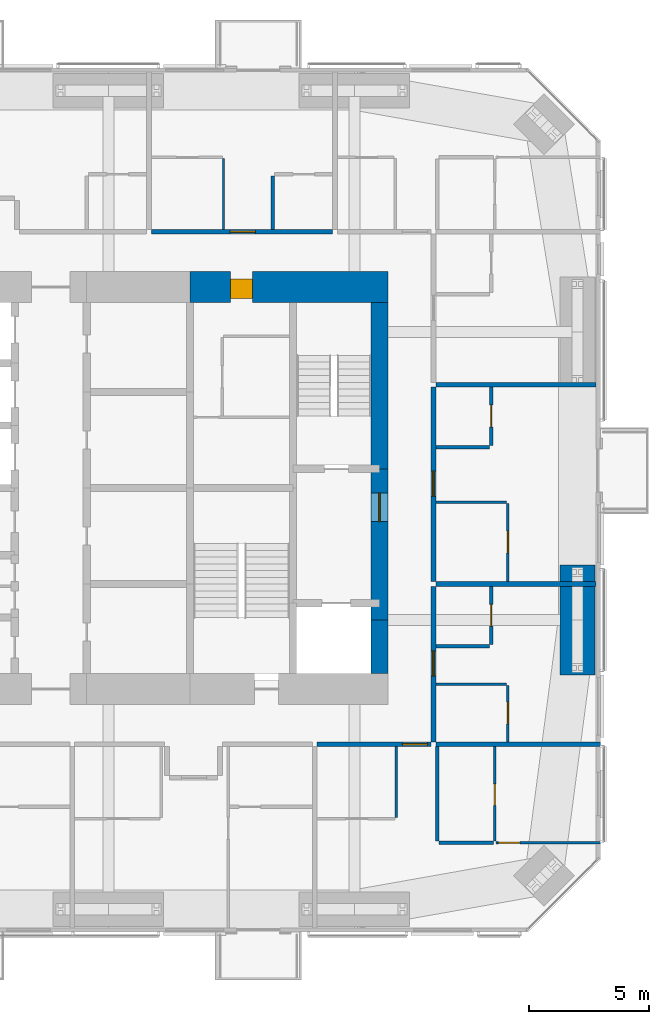
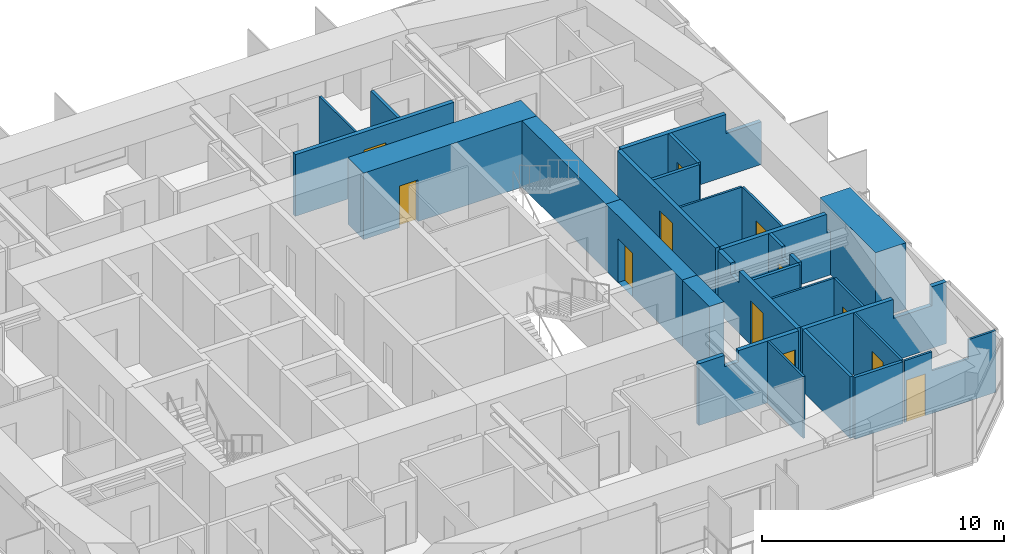
# One storey, part 19 of 22: 27 walls, 12 doors, 12 openings.
"""IFC4 building model written with IfcOpenShell, lengths in metres."""

from ifc_helpers import new_model, si_unit, direction, frame, frame_2d, origin, place, context, subcontext, project, spatial, polyline, rectangle, outline, extrude, material, layer, layer_set, constituent, constituent_set, type_object, element, fill, save


model = new_model("IFC4")

# Units and contexts
model_context = context("Model", 3, precision=1e-05, world=origin(), true_north=direction((0.0, 1.0)))
body_context = subcontext(model_context, "Body", "Model", "MODEL_VIEW")
ifc_project = project(units=[si_unit("LENGTHUNIT", "METRE"), si_unit("AREAUNIT", "SQUARE_METRE"), si_unit("VOLUMEUNIT", "CUBIC_METRE"), si_unit("PLANEANGLEUNIT", "RADIAN"), si_unit("MASSUNIT", "GRAM", prefix="KILO")], contexts=[model_context])

# Site, building, storey
site_placement = place(None, origin())
site = spatial("IfcSite", under=ifc_project, at=site_placement, CompositionType="ELEMENT")
building_placement = place(site_placement, origin())
building = spatial("IfcBuilding", under=site, at=building_placement, Name="Jalousie Tower", CompositionType="ELEMENT")
storey_placement = place(building_placement, frame((0.0, 0.0, 161.050048828125)))
storey = spatial("IfcBuildingStorey", under=building, at=storey_placement, Name="L43", CompositionType="ELEMENT", Elevation=161.050048828125)

# Walls
ifc_material_1 = material(Name="Concrete block ASTM C90", Category="concrete")
ifc_constituent_1 = constituent(ifc_material_1, Name="Body")
ifc_material_2 = material(Name="Render")
ifc_constituent_2 = constituent(ifc_material_2, Name="Finish")
ifc_constituent_set_1 = constituent_set(constituents=[ifc_constituent_1, ifc_constituent_2])
wall_type_1 = type_object("IfcWallType", Name="BATHROOM WALL 150", PredefinedType="PLUMBINGWALL", material=ifc_constituent_set_1)
wall_1_placement = place(storey_placement, frame((46.27490234375, 3.72119140625, 0.0), z_axis=(0.0, 0.0, 1.0), x_axis=(1.0, 0.0, 0.0)))
element("IfcWall", 1, at=wall_1_placement, inside=storey, type_object=wall_type_1, Name="Bathroom Wall 150 L43", PredefinedType="PLUMBINGWALL", context=body_context, shape_type="SweptSolid", body=[
    extrude(rectangle(XDim=2.275146484375, YDim=0.14990234375, at=frame_2d((1.1376953125, 0.0))), origin(), (0.0, 0.0, 1.0), 3.10986328125),
])
wall_2_placement = place(storey_placement, frame((46.199951171875, 3.79638671875, 0.0), z_axis=(0.0, 0.0, 1.0), x_axis=(0.0, 1.0, 0.0)))
element("IfcWall", 2, at=wall_2_placement, inside=storey, type_object=wall_type_1, Name="Bathroom Wall 150 L43", PredefinedType="PLUMBINGWALL", context=body_context, shape_type="SweptSolid", body=[
    extrude(rectangle(XDim=3.9287109375, YDim=0.14990234375, at=frame_2d((1.96435546875, 0.0))), origin(), (0.0, 0.0, 1.0), 3.10986328125),
])
wall_3_placement = place(storey_placement, frame((39.35009765625, 31.5, 0.0), z_axis=(0.0, 0.0, 1.0), x_axis=(0.0, -1.0, 0.0)))
element("IfcWall", 3, at=wall_3_placement, inside=storey, type_object=wall_type_1, Name="Bathroom Wall 150 L43", PredefinedType="PLUMBINGWALL", context=body_context, shape_type="SweptSolid", body=[
    extrude(rectangle(XDim=2.22509765625, YDim=0.14990234375, at=frame_2d((1.112548828125, 0.0))), origin(), (0.0, 0.0, 1.0), 3.10986328125),
])

# Wall, opening, door
wall_4_placement = place(storey_placement, frame((48.449951171875, 11.97509765625, 0.0), z_axis=(0.0, 0.0, 1.0), x_axis=(0.0, 1.0, 0.0)))
wall_4 = element("IfcWall", 4, at=wall_4_placement, inside=storey, type_object=wall_type_1, Name="Bathroom Wall 150 L43", PredefinedType="PLUMBINGWALL", context=body_context, shape_type="SweptSolid", body=[
    extrude(outline(polyline([(0.0, 0.0), (2.4248046875, 0.0), (2.425048828125, 3.10986328125), (1.33740234375, 3.10986328125), (1.33740234375, 2.541015625), (0.712646484375, 2.541015625), (0.712646484375, 3.10986328125), (0.0, 3.10986328125), (0.0, 0.0)])), frame((0.0, 0.074951171875, 0.0), z_axis=(0.0, -1.0, 0.0), x_axis=(1.0, 0.0, 0.0)), (0.0, 0.0, 1.0), 0.14990234375),
])
opening_1_placement = place(wall_4_placement, frame((0.77490234375, 0.0, 0.0)))
opening_1 = element("IfcOpeningElement", 5, at=opening_1_placement, cuts=wall_4, Name="Opening D3", PredefinedType="OPENING", context=body_context, shape_type="SweptSolid", body=[
    extrude(rectangle(XDim=0.89990234375, YDim=2.10009765625, at=frame_2d((0.449951171875, 1.050048828125))), frame((0.0, 0.0849609375, 0.0), z_axis=(0.0, -1.0, 0.0), x_axis=(1.0, 0.0, 0.0)), (0.0, 0.0, 1.0), 0.169921875),
])
ifc_material_3 = material(Name="Timber door", Category="wood")
door_type_1 = type_object("IfcDoorType", Name="BATHROOM DOOR 900", OperationType="SINGLE_SWING_LEFT", PredefinedType="DOOR", material=ifc_material_3)
door_1_placement = place(opening_1_placement, origin())
door_1 = element("IfcDoor", 6, at=door_1_placement, inside=storey, type_object=door_type_1, Name="Apartment 4310 bathroom door", OperationType="SINGLE_SWING_RIGHT", OverallHeight=2.10009765625, OverallWidth=0.89990234375, PredefinedType="DOOR", context=body_context, shape_type="SweptSolid", body=[
    extrude(rectangle(XDim=0.89990234375, YDim=2.10009765625, at=frame_2d((0.449951171875, 1.050048828125))), frame((0.0, 0.02490234375, 0.0), z_axis=(0.0, -1.0, 0.0), x_axis=(1.0, 0.0, 0.0)), (0.0, 0.0, 1.0), 0.050048828125),
])
fill(opening_1, door_1)

# Wall
wall_5_placement = place(storey_placement, frame((48.375, 11.89990234375, 0.0), z_axis=(0.0, 0.0, 1.0), x_axis=(-1.0, 0.0, 0.0)))
element("IfcWall", 7, at=wall_5_placement, inside=storey, type_object=wall_type_1, Name="Bathroom Wall 150 L43", PredefinedType="PLUMBINGWALL", context=body_context, shape_type="SweptSolid", body=[
    extrude(rectangle(XDim=2.22509765625, YDim=0.14990234375, at=frame_2d((1.112548828125, 0.0))), origin(), (0.0, 0.0, 1.0), 3.10986328125),
])

# Wall, opening, door
wall_6_placement = place(storey_placement, frame((48.449951171875, 20.27490234375, 0.0), z_axis=(0.0, 0.0, 1.0), x_axis=(0.0, 1.0, 0.0)))
wall_6 = element("IfcWall", 8, at=wall_6_placement, inside=storey, type_object=wall_type_1, Name="Bathroom Wall 150 L43", PredefinedType="PLUMBINGWALL", context=body_context, shape_type="SweptSolid", body=[
    extrude(rectangle(XDim=2.425048828125, YDim=0.14990234375, at=frame_2d((1.21240234375, 0.0))), origin(), (0.0, 0.0, 1.0), 3.10986328125),
])
opening_2_placement = place(wall_6_placement, frame((0.77490234375, 0.0, 0.0)))
opening_2 = element("IfcOpeningElement", 9, at=opening_2_placement, cuts=wall_6, Name="Opening D3", PredefinedType="OPENING", context=body_context, shape_type="SweptSolid", body=[
    extrude(rectangle(XDim=0.89990234375, YDim=2.10009765625, at=frame_2d((0.449951171875, 1.050048828125))), frame((0.0, 0.0849609375, 0.0), z_axis=(0.0, -1.0, 0.0), x_axis=(1.0, 0.0, 0.0)), (0.0, 0.0, 1.0), 0.169921875),
])
door_2_placement = place(opening_2_placement, origin())
door_2 = element("IfcDoor", 10, at=door_2_placement, inside=storey, type_object=door_type_1, Name="Apartment 4311 bathroom door", OperationType="SINGLE_SWING_RIGHT", OverallHeight=2.10009765625, OverallWidth=0.89990234375, PredefinedType="DOOR", context=body_context, shape_type="SweptSolid", body=[
    extrude(rectangle(XDim=0.89990234375, YDim=2.10009765625, at=frame_2d((0.449951171875, 1.050048828125))), frame((0.0, 0.02490234375, 0.0), z_axis=(0.0, -1.0, 0.0), x_axis=(1.0, 0.0, 0.0)), (0.0, 0.0, 1.0), 0.050048828125),
])
fill(opening_2, door_2)

# Wall
wall_7_placement = place(storey_placement, frame((48.375, 20.199951171875, 0.0), z_axis=(0.0, 0.0, 1.0), x_axis=(-1.0, 0.0, 0.0)))
element("IfcWall", 11, at=wall_7_placement, inside=storey, type_object=wall_type_1, Name="Bathroom Wall 150 L43", PredefinedType="PLUMBINGWALL", context=body_context, shape_type="SweptSolid", body=[
    extrude(rectangle(XDim=2.22509765625, YDim=0.14990234375, at=frame_2d((1.112548828125, 0.0))), origin(), (0.0, 0.0, 1.0), 3.10986328125),
])

# Wall, opening, door
ifc_material_4 = material(Name="Concrete f'c 120 MPa", Category="concrete")
ifc_layer_1 = layer(ifc_material_4, 1.300048828125)
ifc_layer_set_1 = layer_set([ifc_layer_1], Name="Concrete f'c 120 MPa")
wall_type_2 = type_object("IfcWallType", Name="CORE WALL 1300", PredefinedType="SHEAR", material=ifc_layer_set_1)
wall_8_placement = place(storey_placement, frame((44.14990234375, 26.875, 0.0), z_axis=(0.0, 0.0, 1.0), x_axis=(-1.0, 0.0, 0.0)))
wall_8 = element("IfcWall", 12, at=wall_8_placement, inside=storey, type_object=wall_type_2, Name="Core wall NA L43", PredefinedType="SHEAR", context=body_context, shape_type="SweptSolid", body=[
    extrude(rectangle(XDim=8.25, YDim=1.300048828125, at=frame_2d((4.125, 0.0))), origin(), (0.0, 0.0, 1.0), 3.349853515625),
])
opening_3_placement = place(wall_8_placement, frame((5.64990234375, 0.0, 0.0)))
opening_3 = element("IfcOpeningElement", 13, at=opening_3_placement, cuts=wall_8, Name="Opening D25", PredefinedType="OPENING", context=body_context, shape_type="SweptSolid", body=[
    extrude(rectangle(XDim=0.89990234375, YDim=2.10009765625, at=frame_2d((0.449951171875, 1.050048828125))), frame((0.0, 0.659912109375, 0.0), z_axis=(0.0, -1.0, 0.0), x_axis=(1.0, 0.0, 0.0)), (0.0, 0.0, 1.0), 1.320068359375),
])
ifc_material_5 = material(Name="Steel fire door", Category="steel")
door_type_2 = type_object("IfcDoorType", Name="SERVICE LOBBY DOOR 900", OperationType="SINGLE_SWING_LEFT", PredefinedType="DOOR", material=ifc_material_5)
door_3_placement = place(opening_3_placement, origin())
door_3 = element("IfcDoor", 14, at=door_3_placement, inside=storey, type_object=door_type_2, Name="Service lobby door", OperationType="SINGLE_SWING_RIGHT", OverallHeight=2.10009765625, OverallWidth=0.89990234375, PredefinedType="DOOR", context=body_context, shape_type="SweptSolid", body=[
    extrude(rectangle(XDim=0.89990234375, YDim=2.10009765625, at=frame_2d((0.449951171875, 1.050048828125))), frame((0.0, 0.47021484375, 0.0), z_axis=(0.0, -1.0, 0.0), x_axis=(1.0, 0.0, 0.0)), (0.0, 0.0, 1.0), 0.800048828125),
])
fill(opening_3, door_3)

# Wall
ifc_material_6 = material(Name="Concrete f'c 120 MPa", Category="concrete")
ifc_layer_2 = layer(ifc_material_6, 0.699951171875)
ifc_layer_set_2 = layer_set([ifc_layer_2], Name="Concrete f'c 120 MPa")
wall_type_3 = type_object("IfcWallType", Name="CORE WALL 700", PredefinedType="SHEAR", material=ifc_layer_set_2)
wall_9_placement = place(storey_placement, frame((43.800048828125, 10.77490234375, 0.0), z_axis=(0.0, 0.0, 1.0), x_axis=(0.0, 1.0, 0.0)))
element("IfcWall", 15, at=wall_9_placement, inside=storey, type_object=wall_type_3, Name="Core wall EA L43", PredefinedType="SHEAR", context=body_context, shape_type="SweptSolid", body=[
    extrude(rectangle(XDim=2.22509765625, YDim=0.699951171875, at=frame_2d((1.112548828125, 0.0))), origin(), (0.0, 0.0, 1.0), 3.349853515625),
])

# Wall, opening, door
wall_10_placement = place(storey_placement, frame((43.800048828125, 13.0, 0.0), z_axis=(0.0, 0.0, 1.0), x_axis=(0.0, 1.0, 0.0)))
wall_10 = element("IfcWall", 16, at=wall_10_placement, inside=storey, type_object=wall_type_3, Name="Core wall EB L43", PredefinedType="SHEAR", context=body_context, shape_type="SweptSolid", body=[
    extrude(rectangle(XDim=6.300048828125, YDim=0.699951171875, at=frame_2d((3.14990234375, 0.0))), origin(), (0.0, 0.0, 1.0), 3.349853515625),
])
opening_4_placement = place(wall_10_placement, frame((4.10009765625, 0.0, 0.0)))
opening_4 = element("IfcOpeningElement", 17, at=opening_4_placement, cuts=wall_10, Name="Opening D11", PredefinedType="OPENING", context=body_context, shape_type="SweptSolid", body=[
    extrude(rectangle(XDim=1.199951171875, YDim=2.199951171875, at=frame_2d((0.60009765625, 1.10009765625))), frame((0.0, 0.35986328125, 0.0), z_axis=(0.0, -1.0, 0.0), x_axis=(1.0, 0.0, 0.0)), (0.0, 0.0, 1.0), 0.719970703125),
])
ifc_material_7 = material(Name="Steel fire door", Category="steel")
door_type_3 = type_object("IfcDoorType", Name="FIRE DOOR 1200", OperationType="SINGLE_SWING_LEFT", PredefinedType="DOOR", material=ifc_material_7)
door_4_placement = place(opening_4_placement, origin())
door_4 = element("IfcDoor", 18, at=door_4_placement, inside=storey, type_object=door_type_3, Name="Fire-fighting lobby B door", OperationType="SINGLE_SWING_RIGHT", OverallHeight=2.199951171875, OverallWidth=1.199951171875, PredefinedType="DOOR", context=body_context, shape_type="SweptSolid", body=[
    extrude(rectangle(XDim=1.199951171875, YDim=2.199951171875, at=frame_2d((0.60009765625, 1.10009765625))), frame((0.0, 0.02490234375, 0.0), z_axis=(0.0, -1.0, 0.0), x_axis=(1.0, 0.0, 0.0)), (0.0, 0.0, 1.0), 0.050048828125),
])
fill(opening_4, door_4)

# Wall
wall_11_placement = place(storey_placement, frame((43.800048828125, 19.300048828125, 0.0), z_axis=(0.0, 0.0, 1.0), x_axis=(0.0, 1.0, 0.0)))
element("IfcWall", 19, at=wall_11_placement, inside=storey, type_object=wall_type_3, Name="Core wall EC L43", PredefinedType="SHEAR", context=body_context, shape_type="SweptSolid", body=[
    extrude(rectangle(XDim=6.925048828125, YDim=0.699951171875, at=frame_2d((3.46240234375, 0.0))), origin(), (0.0, 0.0, 1.0), 3.349853515625),
])

# Wall, opening, door
ifc_material_8 = material(Name="Concrete block ASTM C90", Category="concrete")
ifc_constituent_3 = constituent(ifc_material_8, Name="Body")
ifc_material_9 = material(Name="Render")
ifc_constituent_4 = constituent(ifc_material_9, Name="Finish")
ifc_constituent_set_2 = constituent_set(constituents=[ifc_constituent_3, ifc_constituent_4])
wall_type_4 = type_object("IfcWallType", Name="CORRIDOR WALL 200", PredefinedType="PARTITIONING", material=ifc_constituent_set_2)
wall_12_placement = place(storey_placement, frame((41.199951171875, 7.824951171875, 0.0), z_axis=(0.0, 0.0, 1.0), x_axis=(1.0, 0.0, 0.0)))
wall_12 = element("IfcWall", 20, at=wall_12_placement, inside=storey, type_object=wall_type_4, Name="Corridor Wall 200 L43", PredefinedType="PARTITIONING", context=body_context, shape_type="SweptSolid", body=[
    extrude(outline(polyline([(0.0, 0.0), (4.75, 0.0), (4.75, 3.10986328125), (1.88720703125, 3.10986328125), (1.88720703125, 2.541015625), (1.212646484375, 2.541015625), (1.212646484375, 3.10986328125), (0.0, 3.10986328125), (0.0, 0.0)])), frame((0.0, 0.10009765625, 0.0), z_axis=(0.0, -1.0, 0.0), x_axis=(1.0, 0.0, 0.0)), (0.0, 0.0, 1.0), 0.199951171875),
])
opening_5_placement = place(wall_12_placement, frame((3.550048828125, 0.0, 0.0)))
opening_5 = element("IfcOpeningElement", 21, at=opening_5_placement, cuts=wall_12, Name="Opening D1", PredefinedType="OPENING", context=body_context, shape_type="SweptSolid", body=[
    extrude(rectangle(XDim=1.050048828125, YDim=2.199951171875, at=frame_2d((0.52490234375, 1.10009765625))), frame((0.0, 0.10986328125, 0.0), z_axis=(0.0, -1.0, 0.0), x_axis=(1.0, 0.0, 0.0)), (0.0, 0.0, 1.0), 0.219970703125),
])
ifc_material_10 = material(Name="Timber fire door", Category="wood")
door_type_4 = type_object("IfcDoorType", Name="APARTMENT ENTRANCE DOOR 1050", OperationType="SINGLE_SWING_LEFT", PredefinedType="DOOR", material=ifc_material_10)
door_5_placement = place(opening_5_placement, frame((1.050048828125, 0.0, 0.0), z_axis=(0.0, 0.0, 1.0), x_axis=(-1.0, 0.0, 0.0)))
door_5 = element("IfcDoor", 22, at=door_5_placement, inside=storey, type_object=door_type_4, Name="Apartment 4304 entrance", OperationType="SINGLE_SWING_RIGHT", OverallHeight=2.199951171875, OverallWidth=1.050048828125, PredefinedType="DOOR", context=body_context, shape_type="SweptSolid", body=[
    extrude(rectangle(XDim=1.050048828125, YDim=2.199951171875, at=frame_2d((0.52490234375, 1.10009765625))), frame((0.0, 0.02490234375, 0.0), z_axis=(0.0, -1.0, 0.0), x_axis=(1.0, 0.0, 0.0)), (0.0, 0.0, 1.0), 0.050048828125),
])
fill(opening_5, door_5)

wall_13_placement = place(storey_placement, frame((34.300048828125, 29.175048828125, 0.0), z_axis=(0.0, 0.0, 1.0), x_axis=(1.0, 0.0, 0.0)))
wall_13 = element("IfcWall", 23, at=wall_13_placement, inside=storey, type_object=wall_type_4, Name="Corridor Wall 200 L43", PredefinedType="PARTITIONING", context=body_context, shape_type="SweptSolid", body=[
    extrude(rectangle(XDim=7.550048828125, YDim=0.199951171875, at=frame_2d((3.77490234375, 0.0))), origin(), (0.0, 0.0, 1.0), 3.10986328125),
])
opening_6_placement = place(wall_13_placement, frame((3.27490234375, 0.0, 0.0)))
opening_6 = element("IfcOpeningElement", 24, at=opening_6_placement, cuts=wall_13, Name="Opening D1", PredefinedType="OPENING", context=body_context, shape_type="SweptSolid", body=[
    extrude(rectangle(XDim=1.050048828125, YDim=2.199951171875, at=frame_2d((0.52490234375, 1.10009765625))), frame((0.0, 0.10986328125, 0.0), z_axis=(0.0, -1.0, 0.0), x_axis=(1.0, 0.0, 0.0)), (0.0, 0.0, 1.0), 0.219970703125),
])
door_6_placement = place(opening_6_placement, origin())
door_6 = element("IfcDoor", 25, at=door_6_placement, inside=storey, type_object=door_type_4, Name="Apartment 4307 entrance", OperationType="SINGLE_SWING_LEFT", OverallHeight=2.199951171875, OverallWidth=1.050048828125, PredefinedType="DOOR", context=body_context, shape_type="SweptSolid", body=[
    extrude(rectangle(XDim=1.050048828125, YDim=2.199951171875, at=frame_2d((0.52490234375, 1.10009765625))), frame((0.0, 0.02490234375, 0.0), z_axis=(0.0, -1.0, 0.0), x_axis=(1.0, 0.0, 0.0)), (0.0, 0.0, 1.0), 0.050048828125),
])
fill(opening_6, door_6)

wall_14_placement = place(storey_placement, frame((46.050048828125, 7.925048828125, 0.0), z_axis=(0.0, 0.0, 1.0), x_axis=(0.0, 1.0, 0.0)))
wall_14 = element("IfcWall", 26, at=wall_14_placement, inside=storey, type_object=wall_type_4, Name="Corridor Wall 200 L43", PredefinedType="PARTITIONING", context=body_context, shape_type="SweptSolid", body=[
    extrude(outline(polyline([(0.0, 0.0), (6.474853515625, 0.0), (6.47509765625, 3.10986328125), (5.412353515625, 3.10986328125), (5.412353515625, 2.541015625), (4.73779296875, 2.541015625), (4.73779296875, 3.10986328125), (0.0, 3.10986328125), (0.0, 0.0)])), frame((0.0, 0.10009765625, 0.0), z_axis=(0.0, -1.0, 0.0), x_axis=(1.0, 0.0, 0.0)), (0.0, 0.0, 1.0), 0.199951171875),
])
opening_7_placement = place(wall_14_placement, frame((2.737548828125, 0.0, 0.0)))
opening_7 = element("IfcOpeningElement", 27, at=opening_7_placement, cuts=wall_14, Name="Opening D1", PredefinedType="OPENING", context=body_context, shape_type="SweptSolid", body=[
    extrude(rectangle(XDim=1.050048828125, YDim=2.199951171875, at=frame_2d((0.52490234375, 1.10009765625))), frame((0.0, 0.10986328125, 0.0), z_axis=(0.0, -1.0, 0.0), x_axis=(1.0, 0.0, 0.0)), (0.0, 0.0, 1.0), 0.219970703125),
])
door_7_placement = place(opening_7_placement, frame((1.050048828125, 0.0, 0.0), z_axis=(0.0, 0.0, 1.0), x_axis=(-1.0, 0.0, 0.0)))
door_7 = element("IfcDoor", 28, at=door_7_placement, inside=storey, type_object=door_type_4, Name="Apartment 4310 entrance", OperationType="SINGLE_SWING_LEFT", OverallHeight=2.199951171875, OverallWidth=1.050048828125, PredefinedType="DOOR", context=body_context, shape_type="SweptSolid", body=[
    extrude(rectangle(XDim=1.050048828125, YDim=2.199951171875, at=frame_2d((0.52490234375, 1.10009765625))), frame((0.0, 0.02490234375, 0.0), z_axis=(0.0, -1.0, 0.0), x_axis=(1.0, 0.0, 0.0)), (0.0, 0.0, 1.0), 0.050048828125),
])
fill(opening_7, door_7)

wall_15_placement = place(storey_placement, frame((46.050048828125, 14.60009765625, 0.0), z_axis=(0.0, 0.0, 1.0), x_axis=(0.0, 1.0, 0.0)))
wall_15 = element("IfcWall", 29, at=wall_15_placement, inside=storey, type_object=wall_type_4, Name="Corridor Wall 200 L43", PredefinedType="PARTITIONING", context=body_context, shape_type="SweptSolid", body=[
    extrude(rectangle(XDim=8.099853515625, YDim=0.199951171875, at=frame_2d((4.0498046875, 0.0))), origin(), (0.0, 0.0, 1.0), 3.10986328125),
])
opening_8_placement = place(wall_15_placement, frame((3.550048828125, 0.0, 0.0)))
opening_8 = element("IfcOpeningElement", 30, at=opening_8_placement, cuts=wall_15, Name="Opening D1", PredefinedType="OPENING", context=body_context, shape_type="SweptSolid", body=[
    extrude(rectangle(XDim=1.050048828125, YDim=2.199951171875, at=frame_2d((0.52490234375, 1.10009765625))), frame((0.0, 0.10986328125, 0.0), z_axis=(0.0, -1.0, 0.0), x_axis=(1.0, 0.0, 0.0)), (0.0, 0.0, 1.0), 0.219970703125),
])
door_8_placement = place(opening_8_placement, frame((1.050048828125, 0.0, 0.0), z_axis=(0.0, 0.0, 1.0), x_axis=(-1.0, 0.0, 0.0)))
door_8 = element("IfcDoor", 31, at=door_8_placement, inside=storey, type_object=door_type_4, Name="Apartment 4311 entrance", OperationType="SINGLE_SWING_RIGHT", OverallHeight=2.199951171875, OverallWidth=1.050048828125, PredefinedType="DOOR", context=body_context, shape_type="SweptSolid", body=[
    extrude(rectangle(XDim=1.050048828125, YDim=2.199951171875, at=frame_2d((0.52490234375, 1.10009765625))), frame((0.0, 0.02490234375, 0.0), z_axis=(0.0, -1.0, 0.0), x_axis=(1.0, 0.0, 0.0)), (0.0, 0.0, 1.0), 0.050048828125),
])
fill(opening_8, door_8)

ifc_material_11 = material(Name="Gypsum board", Category="gypsum")
ifc_constituent_5 = constituent(ifc_material_11, Name="Body")
ifc_material_12 = material(Name="Light-gauge steel studs ASTM A653 SS Grade 33", Category="steel")
ifc_constituent_6 = constituent(ifc_material_12, Name="Framing")
ifc_constituent_set_3 = constituent_set(constituents=[ifc_constituent_5, ifc_constituent_6])
wall_type_5 = type_object("IfcWallType", Name="PARTITION 100", PredefinedType="PARTITIONING", material=ifc_constituent_set_3)
wall_16_placement = place(storey_placement, frame((48.60009765625, 3.79638671875, 0.0), z_axis=(0.0, 0.0, 1.0), x_axis=(0.0, 1.0, 0.0)))
wall_16 = element("IfcWall", 32, at=wall_16_placement, inside=storey, type_object=wall_type_5, Name="Partition 100 L43", PredefinedType="PARTITIONING", context=body_context, shape_type="SweptSolid", body=[
    extrude(rectangle(XDim=3.9287109375, YDim=0.10009765625, at=frame_2d((1.96435546875, 0.0))), origin(), (0.0, 0.0, 1.0), 3.10986328125),
])
opening_9_placement = place(wall_16_placement, frame((1.476806640625, 0.0, 0.0)))
opening_9 = element("IfcOpeningElement", 33, at=opening_9_placement, cuts=wall_16, Name="Opening D3", PredefinedType="OPENING", context=body_context, shape_type="SweptSolid", body=[
    extrude(rectangle(XDim=0.89990234375, YDim=2.10009765625, at=frame_2d((0.449951171875, 1.050048828125))), frame((0.0, 0.06005859375, 0.0), z_axis=(0.0, -1.0, 0.0), x_axis=(1.0, 0.0, 0.0)), (0.0, 0.0, 1.0), 0.1201171875),
])
door_9_placement = place(opening_9_placement, origin())
door_9 = element("IfcDoor", 34, at=door_9_placement, inside=storey, type_object=door_type_1, Name="Apartment 4304 bedroom 1 bathroom door", OperationType="SINGLE_SWING_LEFT", OverallHeight=2.10009765625, OverallWidth=0.89990234375, PredefinedType="DOOR", context=body_context, shape_type="SweptSolid", body=[
    extrude(rectangle(XDim=0.89990234375, YDim=2.10009765625, at=frame_2d((0.449951171875, 1.050048828125))), frame((0.0, 0.02490234375, 0.0), z_axis=(0.0, -1.0, 0.0), x_axis=(1.0, 0.0, 0.0)), (0.0, 0.0, 1.0), 0.050048828125),
])
fill(opening_9, door_9)

wall_17_placement = place(storey_placement, frame((48.64990234375, 3.72119140625, 0.0), z_axis=(0.0, 0.0, 1.0), x_axis=(1.0, 0.0, 0.0)))
wall_17 = element("IfcWall", 35, at=wall_17_placement, inside=storey, type_object=wall_type_5, Name="Partition 100 L43", PredefinedType="PARTITIONING", context=body_context, shape_type="SweptSolid", body=[
    extrude(outline(polyline([(0.0, 0.0), (4.35009765625, 0.0), (4.35009765625, 3.10986328125), (3.049072265625, 3.10986328125), (3.049072265625, 2.14990234375), (1.314453125, 2.14990234375), (1.314453125, 3.10986328125), (0.0, 3.10986328125), (0.0, 0.0)])), frame((0.0, 0.050048828125, 0.0), z_axis=(0.0, -1.0, 0.0), x_axis=(1.0, 0.0, 0.0)), (0.0, 0.0, 1.0), 0.10009765625),
])
opening_10_placement = place(wall_17_placement, frame((0.10009765625, 0.0, 0.0)))
opening_10 = element("IfcOpeningElement", 36, at=opening_10_placement, cuts=wall_17, Name="Opening D2", PredefinedType="OPENING", context=body_context, shape_type="SweptSolid", body=[
    extrude(rectangle(XDim=0.89990234375, YDim=2.10009765625, at=frame_2d((0.449951171875, 1.050048828125))), frame((0.0, 0.06005859375, 0.0), z_axis=(0.0, -1.0, 0.0), x_axis=(1.0, 0.0, 0.0)), (0.0, 0.0, 1.0), 0.1201171875),
])
ifc_material_13 = material(Name="Timber door", Category="wood")
door_type_5 = type_object("IfcDoorType", Name="BEDROOM DOOR 900", OperationType="SINGLE_SWING_LEFT", PredefinedType="DOOR", material=ifc_material_13)
door_10_placement = place(opening_10_placement, origin())
door_10 = element("IfcDoor", 37, at=door_10_placement, inside=storey, type_object=door_type_5, Name="Apartment 4304 bedroom 1 door", OperationType="SINGLE_SWING_LEFT", OverallHeight=2.10009765625, OverallWidth=0.89990234375, PredefinedType="DOOR", context=body_context, shape_type="SweptSolid", body=[
    extrude(rectangle(XDim=0.89990234375, YDim=2.10009765625, at=frame_2d((0.449951171875, 1.050048828125))), frame((0.0, 0.02490234375, 0.0), z_axis=(0.0, -1.0, 0.0), x_axis=(1.0, 0.0, 0.0)), (0.0, 0.0, 1.0), 0.050048828125),
])
fill(opening_10, door_10)

# Walls
for number, where, z_axis, x_axis, name in (
    (38, (44.5, 4.77490234375, 0.0), (0.0, 0.0, 1.0), (0.0, 1.0, 0.0), "Partition 100 L43"),
    (39, (37.300048828125, 32.22509765625, 0.0), (0.0, 0.0, 1.0), (0.0, -1.0, 0.0), "Partition 100 L43"),
):
    element("IfcWall", number, at=place(storey_placement, frame(where, z_axis=z_axis, x_axis=x_axis)), inside=storey, type_object=wall_type_5, Name=name, PredefinedType="PARTITIONING", context=body_context, shape_type="SweptSolid", body=[
        extrude(rectangle(XDim=2.9501953125, YDim=0.10009765625, at=frame_2d((1.47509765625, 0.0))), origin(), (0.0, 0.0, 1.0), 3.10986328125),
    ])

# Wall, opening, door
wall_18_placement = place(storey_placement, frame((49.14990234375, 7.925048828125, 0.0), z_axis=(0.0, 0.0, 1.0), x_axis=(0.0, 1.0, 0.0)))
wall_18 = element("IfcWall", 40, at=wall_18_placement, inside=storey, type_object=wall_type_5, Name="Partition 100 L43", PredefinedType="PARTITIONING", context=body_context, shape_type="SweptSolid", body=[
    extrude(rectangle(XDim=2.349853515625, YDim=0.10009765625, at=frame_2d((1.1748046875, 0.0))), origin(), (0.0, 0.0, 1.0), 3.10986328125),
])
opening_11_placement = place(wall_18_placement, frame((0.75, 0.0, 0.0)))
opening_11 = element("IfcOpeningElement", 41, at=opening_11_placement, cuts=wall_18, Name="Opening D7", PredefinedType="OPENING", context=body_context, shape_type="SweptSolid", body=[
    extrude(rectangle(XDim=0.89990234375, YDim=2.10009765625, at=frame_2d((0.449951171875, 1.050048828125))), frame((0.0, 0.06005859375, 0.0), z_axis=(0.0, -1.0, 0.0), x_axis=(1.0, 0.0, 0.0)), (0.0, 0.0, 1.0), 0.1201171875),
])
ifc_material_14 = material(Name="Timber door", Category="wood")
door_type_6 = type_object("IfcDoorType", Name="INTERNAL DOOR 900", OperationType="SINGLE_SWING_LEFT", PredefinedType="DOOR", material=ifc_material_14)
door_11_placement = place(opening_11_placement, origin())
door_11 = element("IfcDoor", 42, at=door_11_placement, inside=storey, type_object=door_type_6, Name="Apartment 4310 kitchen door", OperationType="SINGLE_SWING_RIGHT", OverallHeight=2.10009765625, OverallWidth=0.89990234375, PredefinedType="DOOR", context=body_context, shape_type="SweptSolid", body=[
    extrude(rectangle(XDim=0.89990234375, YDim=2.10009765625, at=frame_2d((0.449951171875, 1.050048828125))), frame((0.0, 0.02490234375, 0.0), z_axis=(0.0, -1.0, 0.0), x_axis=(1.0, 0.0, 0.0)), (0.0, 0.0, 1.0), 0.050048828125),
])
fill(opening_11, door_11)

# Wall
wall_19_placement = place(storey_placement, frame((49.10009765625, 10.324951171875, 0.0), z_axis=(0.0, 0.0, 1.0), x_axis=(-1.0, 0.0, 0.0)))
element("IfcWall", 43, at=wall_19_placement, inside=storey, type_object=wall_type_5, Name="Partition 100 L43", PredefinedType="PARTITIONING", context=body_context, shape_type="SweptSolid", body=[
    extrude(rectangle(XDim=2.9501953125, YDim=0.10009765625, at=frame_2d((1.47509765625, 0.0))), origin(), (0.0, 0.0, 1.0), 3.10986328125),
])

# Wall, opening, door
wall_20_placement = place(storey_placement, frame((49.14990234375, 14.60009765625, 0.0), z_axis=(0.0, 0.0, 1.0), x_axis=(0.0, 1.0, 0.0)))
wall_20 = element("IfcWall", 44, at=wall_20_placement, inside=storey, type_object=wall_type_5, Name="Partition 100 L43", PredefinedType="PARTITIONING", context=body_context, shape_type="SweptSolid", body=[
    extrude(rectangle(XDim=3.25, YDim=0.10009765625, at=frame_2d((1.625, 0.0))), origin(), (0.0, 0.0, 1.0), 3.10986328125),
])
opening_12_placement = place(wall_20_placement, frame((1.199951171875, 0.0, 0.0)))
opening_12 = element("IfcOpeningElement", 45, at=opening_12_placement, cuts=wall_20, Name="Opening D7", PredefinedType="OPENING", context=body_context, shape_type="SweptSolid", body=[
    extrude(rectangle(XDim=0.89990234375, YDim=2.10009765625, at=frame_2d((0.449951171875, 1.050048828125))), frame((0.0, 0.06005859375, 0.0), z_axis=(0.0, -1.0, 0.0), x_axis=(1.0, 0.0, 0.0)), (0.0, 0.0, 1.0), 0.1201171875),
])
door_12_placement = place(opening_12_placement, origin())
door_12 = element("IfcDoor", 46, at=door_12_placement, inside=storey, type_object=door_type_6, Name="Apartment 4311 kitchen door", OperationType="SINGLE_SWING_RIGHT", OverallHeight=2.10009765625, OverallWidth=0.89990234375, PredefinedType="DOOR", context=body_context, shape_type="SweptSolid", body=[
    extrude(rectangle(XDim=0.89990234375, YDim=2.10009765625, at=frame_2d((0.449951171875, 1.050048828125))), frame((0.0, 0.02490234375, 0.0), z_axis=(0.0, -1.0, 0.0), x_axis=(1.0, 0.0, 0.0)), (0.0, 0.0, 1.0), 0.050048828125),
])
fill(opening_12, door_12)

# Walls
wall_21_placement = place(storey_placement, frame((49.10009765625, 17.89990234375, 0.0), z_axis=(0.0, 0.0, 1.0), x_axis=(-1.0, 0.0, 0.0)))
element("IfcWall", 47, at=wall_21_placement, inside=storey, type_object=wall_type_5, Name="Partition 100 L43", PredefinedType="PARTITIONING", context=body_context, shape_type="SweptSolid", body=[
    extrude(rectangle(XDim=2.9501953125, YDim=0.10009765625, at=frame_2d((1.47509765625, 0.0))), origin(), (0.0, 0.0, 1.0), 3.10986328125),
])
ifc_material_15 = material(Name="Concrete block ASTM C90", Category="concrete")
ifc_constituent_7 = constituent(ifc_material_15, Name="Body")
ifc_material_16 = material(Name="Render")
ifc_constituent_8 = constituent(ifc_material_16, Name="Finish")
ifc_constituent_set_4 = constituent_set(constituents=[ifc_constituent_7, ifc_constituent_8])
wall_type_6 = type_object("IfcWallType", Name="PARTY WALL 200", PredefinedType="PARTITIONING", material=ifc_constituent_set_4)
wall_22_placement = place(storey_placement, frame((46.14990234375, 7.824951171875, 0.0), z_axis=(0.0, 0.0, 1.0), x_axis=(1.0, 0.0, 0.0)))
element("IfcWall", 48, at=wall_22_placement, inside=storey, type_object=wall_type_6, Name="Party Wall 200 L43", PredefinedType="PARTITIONING", context=body_context, shape_type="SweptSolid", body=[
    extrude(outline(polyline([(0.0, 0.0), (6.85009765625, 0.0), (6.85009765625, 3.10986328125), (6.138427734375, 3.10986328125), (6.138427734375, 2.14990234375), (4.302734375, 2.14990234375), (4.302734375, 3.10986328125), (0.0, 3.10986328125), (0.0, 0.0)])), frame((0.0, 0.10009765625, 0.0), z_axis=(0.0, -1.0, 0.0), x_axis=(1.0, 0.0, 0.0)), (0.0, 0.0, 1.0), 0.199951171875),
])
wall_23_placement = place(storey_placement, frame((52.824951171875, 14.5, 0.0), z_axis=(0.0, 0.0, 1.0), x_axis=(-1.0, 0.0, 0.0)))
element("IfcWall", 49, at=wall_23_placement, inside=storey, type_object=wall_type_6, Name="Party Wall 200 L43", PredefinedType="PARTITIONING", context=body_context, shape_type="SweptSolid", body=[
    extrude(outline(polyline([(0.52880859375, 2.14990234375), (0.0, 2.14990234375), (0.0, 0.0), (0.52880859375, 0.0), (0.52880859375, 0.2900390625), (1.021240234375, 0.2900390625), (1.021240234375, 0.0), (6.675048828125, 0.0), (6.675048828125, 3.10986328125), (1.68505859375, 3.10986328125), (1.68505859375, 2.14990234375), (1.021240234375, 2.14990234375), (1.021240234375, 1.85986328125), (0.52880859375, 1.85986328125), (0.52880859375, 2.14990234375)])), frame((0.0, 0.10009765625, 0.0), z_axis=(0.0, -1.0, 0.0), x_axis=(1.0, 0.0, 0.0)), (0.0, 0.0, 1.0), 0.199951171875),
])
wall_24_placement = place(storey_placement, frame((52.824951171875, 22.800048828125, 0.0), z_axis=(0.0, 0.0, 1.0), x_axis=(-1.0, 0.0, 0.0)))
element("IfcWall", 50, at=wall_24_placement, inside=storey, type_object=wall_type_6, Name="Party Wall 200 L43", PredefinedType="PARTITIONING", context=body_context, shape_type="SweptSolid", body=[
    extrude(outline(polyline([(0.0, 0.0), (6.675048828125, 0.0), (6.675048828125, 3.10986328125), (1.68505859375, 3.10986328125), (1.68505859375, 2.14990234375), (0.0, 2.14990234375), (0.0, 3.10986328125), (0.0, 0.0)])), frame((0.0, 0.10009765625, 0.0), z_axis=(0.0, -1.0, 0.0), x_axis=(1.0, 0.0, 0.0)), (0.0, 0.0, 1.0), 0.199951171875),
])
ifc_material_17 = material(Name="Concrete f'c 120 MPa", Category="concrete")
ifc_layer_3 = layer(ifc_material_17, 1.449951171875)
ifc_layer_set_3 = layer_set([ifc_layer_3], Name="Concrete f'c 120 MPa")
wall_type_7 = type_object("IfcWallType", Name="RC WALL PIER 1450", PredefinedType="SHEAR", material=ifc_layer_set_3)
wall_25_placement = place(storey_placement, frame((52.050048828125, 10.699951171875, 0.0), z_axis=(0.0, 0.0, 1.0), x_axis=(0.0, 1.0, 0.0)))
element("IfcWall", 51, at=wall_25_placement, inside=storey, type_object=wall_type_7, Name="Wall pier 06 L43", PredefinedType="SHEAR", context=body_context, shape_type="SweptSolid", body=[
    extrude(rectangle(XDim=4.60009765625, YDim=1.449951171875, at=frame_2d((2.300048828125, 0.0))), origin(), (0.0, 0.0, 1.0), 3.349853515625),
])

save(model, "model.ifc")
